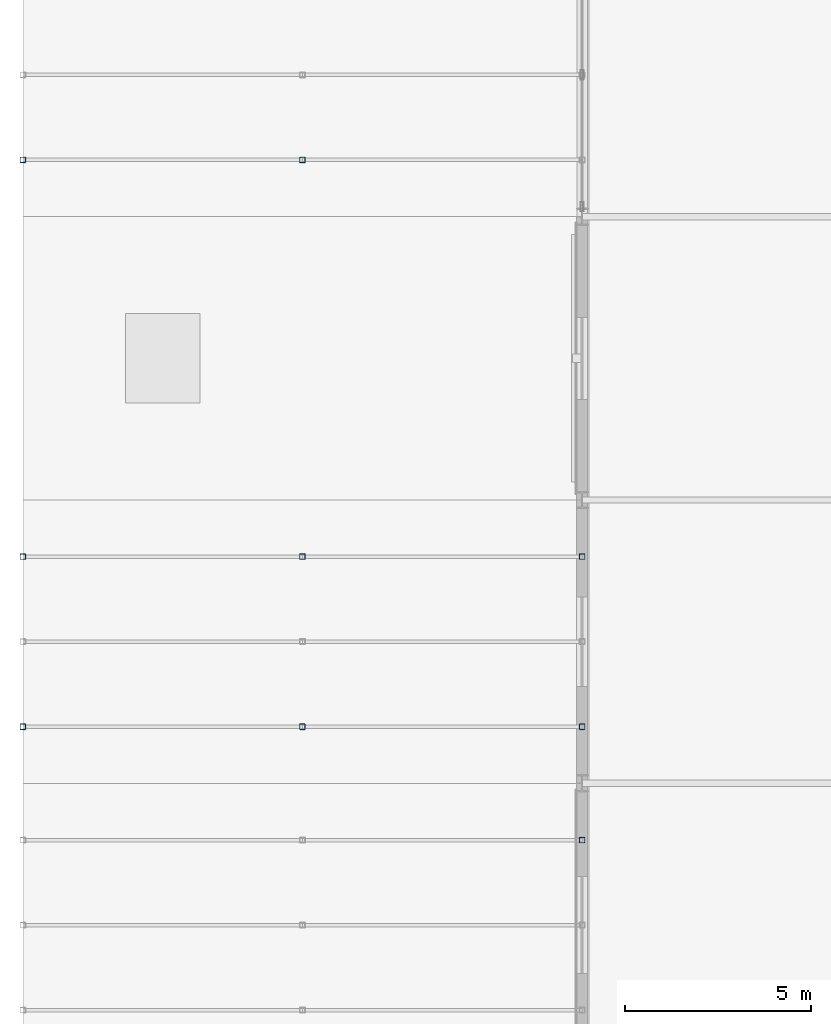
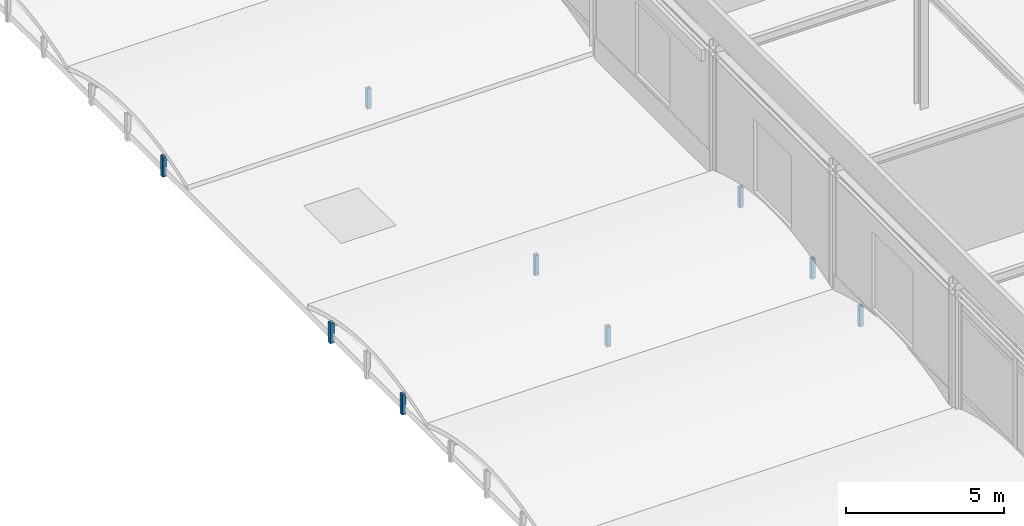
# One storey, part 78 of 113: 9 members.
"""IFC4 building model written with IfcOpenShell, lengths in metres."""

from ifc_helpers import new_model, si_unit, direction, frame, origin, origin_2d, place, context, subcontext, project, spatial, hollow_rectangle, extrude, material, material_profile, profile_set, type_object, element, save


model = new_model("IFC4")

# Units and contexts
model_context = context("Model", 3, precision=1e-05, world=origin(), true_north=direction((0.0, 1.0)))
body_context = subcontext(model_context, "Body", "Model", "MODEL_VIEW")
ifc_project = project(units=[si_unit("LENGTHUNIT", "METRE"), si_unit("AREAUNIT", "SQUARE_METRE"), si_unit("VOLUMEUNIT", "CUBIC_METRE"), si_unit("PLANEANGLEUNIT", "RADIAN"), si_unit("MASSUNIT", "GRAM", prefix="KILO")], contexts=[model_context])

# Site, building, storey
site_placement = place(None, origin())
site = spatial("IfcSite", under=ifc_project, at=site_placement, CompositionType="ELEMENT")
building_placement = place(site_placement, origin())
building = spatial("IfcBuilding", under=site, at=building_placement, Name="Shalkamar Park Central Library", CompositionType="ELEMENT")
storey_placement = place(building_placement, frame((0.0, 0.0, 5.39990234375)))
storey = spatial("IfcBuildingStorey", under=building, at=storey_placement, Name="L02", CompositionType="ELEMENT", Elevation=5.39990234375)

# Members
ifc_material = material(Name="Steel S355", Category="steel")
ifc_material_profile = material_profile(ifc_material, hollow_rectangle(XDim=0.14990234375, YDim=0.14990234375, WallThickness=0.008056640625, InnerFilletRadius=0.008056640625, OuterFilletRadius=0.011962890625, at=origin_2d()), Name="SHS 150x150x8")
ifc_profile_set = profile_set([ifc_material_profile], Name="Steel S355")
member_type = type_object("IfcMemberType", Name="Diagonal Brace SHS150", PredefinedType="BRACE", material=ifc_profile_set)
for number, where, z_axis, x_axis, name in (
    (1, (135.0, 299.280029296875, -0.35986328125), (0.0, 0.0, 1.0), (1.0, 0.0, 0.0), "Vault Arch Post BV-L01-W6-03.3"),
    (2, (120.0, 302.320068359375, -0.35986328125), (0.0, 0.0, 1.0), (1.0, 0.0, 0.0), "Vault Arch Post BV-L01-W7-01.1"),
    (3, (120.0, 306.8798828125, -0.35986328125), (0.0, 0.0, 1.0), (1.0, 0.0, 0.0), "Vault Arch Post BV-L01-W7-01.3"),
    (4, (127.5, 302.320068359375, -0.35986328125), (0.0, 0.0, 1.0), (1.0, 0.0, 0.0), "Vault Arch Post BV-L01-W7-02.1"),
    (5, (127.5, 306.8798828125, -0.35986328125), (0.0, 0.0, 1.0), (1.0, 0.0, 0.0), "Vault Arch Post BV-L01-W7-02.3"),
    (6, (135.0, 302.320068359375, -0.35986328125), (0.0, 0.0, 1.0), (1.0, 0.0, 0.0), "Vault Arch Post BV-L01-W7-03.1"),
    (7, (135.0, 306.8798828125, -0.35986328125), (0.0, 0.0, 1.0), (1.0, 0.0, 0.0), "Vault Arch Post BV-L01-W7-03.3"),
    (8, (120.0, 317.52001953125, -0.35986328125), (0.0, 0.0, 1.0), (1.0, 0.0, 0.0), "Vault Arch Post BV-L01-W8-01.1"),
    (9, (127.5, 317.52001953125, -0.35986328125), (0.0, 0.0, 1.0), (1.0, 0.0, 0.0), "Vault Arch Post BV-L01-W8-02.1"),
):
    element("IfcMember", number, at=place(storey_placement, frame(where, z_axis=z_axis, x_axis=x_axis)), inside=storey, type_object=member_type, Name=name, PredefinedType="BRACE", context=body_context, shape_type="SweptSolid", body=[
        extrude(hollow_rectangle(XDim=0.14990234375, YDim=0.14990234375, WallThickness=0.008056640625, InnerFilletRadius=0.008056640625, OuterFilletRadius=0.011962890625, at=origin_2d()), origin(), (0.0, 0.0, 1.0), 0.78076171875),
    ])

save(model, "model.ifc")
